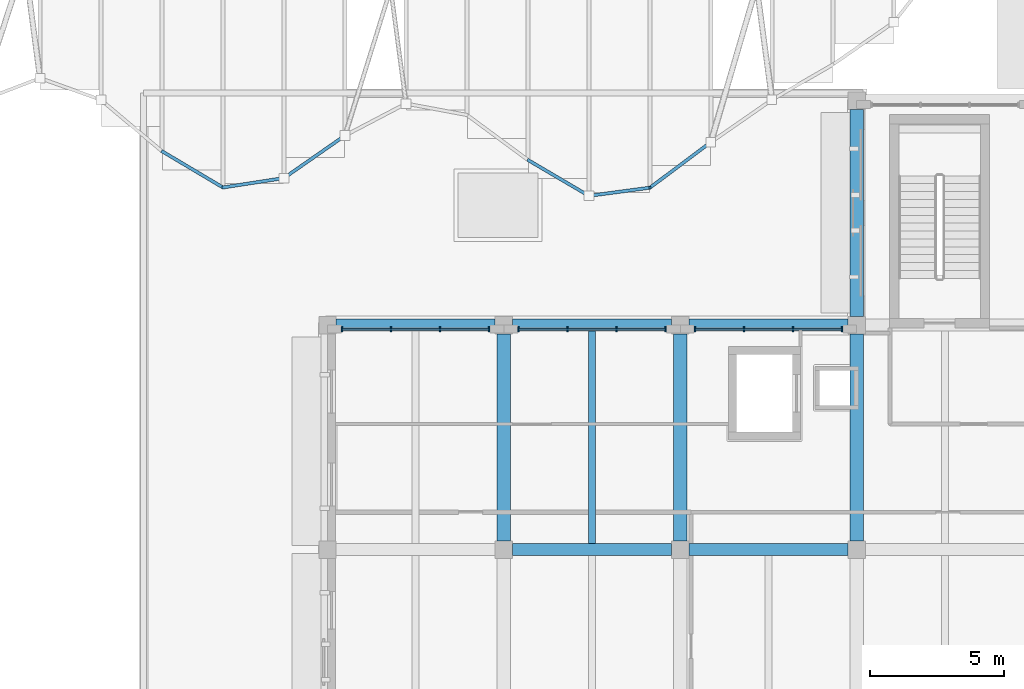
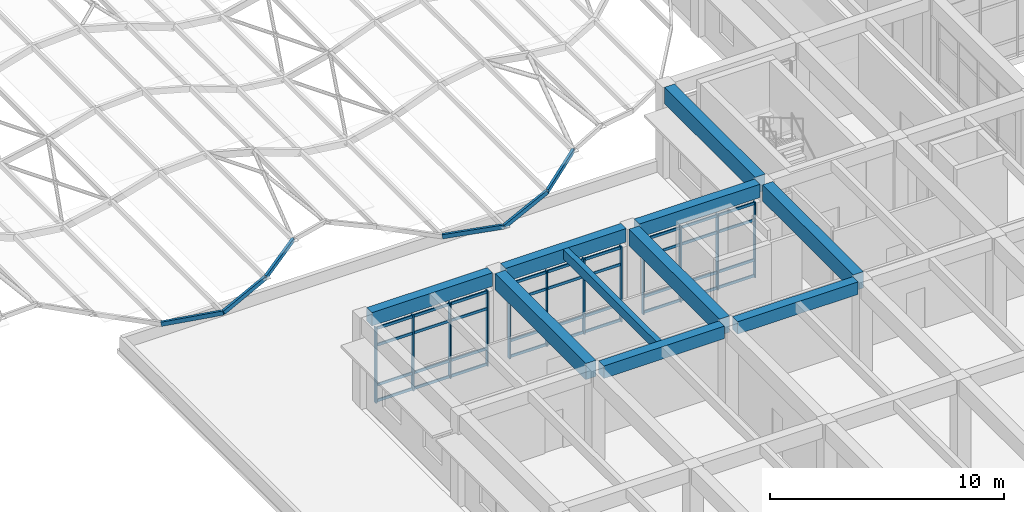
# One storey, part 13 of 79: 30 members, 10 beams, 3 elements without a shape of their own.
"""IFC4 building model written with IfcOpenShell, lengths in metres."""

import ifcopenshell
import ifcopenshell.guid

model = None  # the IFC model being written
_history = None  # IfcOwnerHistory: only IFC2X3 demands one
_inside = {}  # id of a spatial element -> (the spatial element, [elements in it])
_under = {}  # id of a project, library or spatial element -> (it, [spatial elements below it])
_declared = {}  # id of a project -> (the project, [libraries it declares])
_typed = {}  # id of a type object -> (the type object, [elements of that type])
_made_of = {}  # id of a material, layer set ... -> (it, [elements and type objects made of it])


def new_model(schema):
    """Start an empty IFC model of exactly this schema.

    Asked for "IFC4X3", IfcOpenShell would pick the latest addendum, in which some entities
    have other attributes; the version numbers below select the first issue.
    IFC2X3 requires an IfcOwnerHistory on every rooted entity: one is made here for all.
    """
    global model, _history
    if schema == "IFC4X3":
        model = ifcopenshell.file(schema_version=(4, 3, 0, 0))
    else:
        model = ifcopenshell.file(schema=schema)
    _inside.clear()
    _under.clear()
    _declared.clear()
    _typed.clear()
    _made_of.clear()
    _history = None
    if model.schema == "IFC2X3":
        org = make("IfcOrganization", Name="unknown")
        user = make(
            "IfcPersonAndOrganization",
            ThePerson=make("IfcPerson", FamilyName="unknown"),
            TheOrganization=org,
        )
        app = make(
            "IfcApplication",
            ApplicationDeveloper=org,
            Version="unknown",
            ApplicationFullName="unknown",
            ApplicationIdentifier="unknown",
        )
        _history = make(
            "IfcOwnerHistory",
            OwningUser=user,
            OwningApplication=app,
            ChangeAction="ADDED",
            CreationDate=0,
        )
    return model


def make(cls, **values):
    """One entity of the class cls with the attributes given. An attribute that is None is left unset."""
    return model.create_entity(
        cls, **{name: value for name, value in values.items() if value is not None}
    )


def rooted(cls, **values):
    """An entity with a GlobalId (a new one), such as an element, a storey or a relation."""
    return make(cls, GlobalId=ifcopenshell.guid.new(), OwnerHistory=_history, **values)


def si_unit(unit_type, name, prefix=None):
    """IfcSIUnit, for example si_unit("LENGTHUNIT", "METRE", prefix="MILLI")."""
    return make("IfcSIUnit", UnitType=unit_type, Prefix=prefix, Name=name)


def assignment(units):
    """IfcUnitAssignment: the units of a project."""
    return None if units is None else make("IfcUnitAssignment", Units=units)


def point(xyz):
    """IfcCartesianPoint."""
    return None if xyz is None else make("IfcCartesianPoint", Coordinates=xyz)


def direction(xyz):
    """IfcDirection."""
    return None if xyz is None else make("IfcDirection", DirectionRatios=xyz)


def frame(location, z_axis=None, x_axis=None):
    """IfcAxis2Placement3D, a coordinate frame: its origin and axes. An axis left out is left unset."""
    return make(
        "IfcAxis2Placement3D",
        Location=point(location),
        Axis=direction(z_axis),
        RefDirection=direction(x_axis),
    )


def frame_2d(location, x_axis=None):
    """IfcAxis2Placement2D, a coordinate frame in the plane: its origin and x axis."""
    return make(
        "IfcAxis2Placement2D", Location=point(location), RefDirection=direction(x_axis)
    )


def origin():
    """The frame at (0, 0, 0) with its axes left unset."""
    return frame((0.0, 0.0, 0.0))


def origin_2d():
    """The frame at (0, 0) in the plane with its x axis left unset."""
    return frame_2d((0.0, 0.0))


def place(relative_to, where):
    """IfcLocalPlacement: puts the frame where relative to a parent placement (None: the world)."""
    return make(
        "IfcLocalPlacement", PlacementRelTo=relative_to, RelativePlacement=where
    )


def context(
    kind, dimensions, precision=None, world=None, true_north=None, identifier=None
):
    """IfcGeometricRepresentationContext, for example the 3D "Model" context."""
    return make(
        "IfcGeometricRepresentationContext",
        ContextIdentifier=identifier,
        ContextType=kind,
        CoordinateSpaceDimension=dimensions,
        Precision=precision,
        WorldCoordinateSystem=world,
        TrueNorth=true_north,
    )


def subcontext(parent, identifier, kind, view, scale=None):
    """IfcGeometricRepresentationSubContext, for example "Body" below "Model"."""
    return make(
        "IfcGeometricRepresentationSubContext",
        ContextIdentifier=identifier,
        ContextType=kind,
        ParentContext=parent,
        TargetScale=scale,
        TargetView=view,
    )


def project(units=None, contexts=None):
    """IfcProject with its units and contexts."""
    return rooted(
        "IfcProject",
        Name="project",
        RepresentationContexts=contexts,
        UnitsInContext=assignment(units),
    )


def spatial(cls, under=None, at=None, **own):
    """A site, building, storey or space (cls), placed at a placement, below another one or the project."""
    s = rooted(cls, ObjectPlacement=at, **own)
    if under is not None:
        _under.setdefault(under.id(), (under, []))[1].append(s)
    return s


def profile(cls, at=None, kind="AREA", **sizes):
    """A parametric profile (cls). Its sizes go by their IFC names, for example OverallWidth=200.0."""
    return make(cls, ProfileType=kind, Position=at, **sizes)


def rectangle(**sizes):
    """IfcRectangleProfileDef."""
    return profile("IfcRectangleProfileDef", **sizes)


def hollow_rectangle(**sizes):
    """IfcRectangleHollowProfileDef."""
    return profile("IfcRectangleHollowProfileDef", **sizes)


def extrude(swept, where, along, depth):
    """IfcExtrudedAreaSolid: the profile swept, set in the frame where, extruded along a direction by depth."""
    return make(
        "IfcExtrudedAreaSolid",
        SweptArea=swept,
        Position=where,
        ExtrudedDirection=direction(along),
        Depth=depth,
    )


def shape(context_of_items, identifier, shape_type, items):
    """IfcShapeRepresentation: the items that make up one representation, for example the "Body"."""
    return make(
        "IfcShapeRepresentation",
        ContextOfItems=context_of_items,
        RepresentationIdentifier=identifier,
        RepresentationType=shape_type,
        Items=items,
    )


def material(Name=None, Category=None):
    """IfcMaterial."""
    return make("IfcMaterial", Name=Name, Category=Category)


def layer(
    of_material, thickness, ventilated=None, Name=None, Category=None, Priority=None
):
    """IfcMaterialLayer: one layer of a wall or slab, of a material (None: an air gap)."""
    return make(
        "IfcMaterialLayer",
        Material=of_material,
        LayerThickness=thickness,
        IsVentilated=ventilated,
        Name=Name,
        Category=Category,
        Priority=Priority,
    )


def layer_set(layers, Name=None):
    """IfcMaterialLayerSet."""
    return make("IfcMaterialLayerSet", MaterialLayers=layers, LayerSetName=Name)


def material_profile(
    of_material, cross_section, Name=None, Category=None, Priority=None
):
    """IfcMaterialProfile: a cross section and its material."""
    return make(
        "IfcMaterialProfile",
        Name=Name,
        Material=of_material,
        Profile=cross_section,
        Priority=Priority,
        Category=Category,
    )


def profile_set(profiles, Name=None, composite=None):
    """IfcMaterialProfileSet."""
    return make(
        "IfcMaterialProfileSet",
        Name=Name,
        MaterialProfiles=profiles,
        CompositeProfile=composite,
    )


def made_of(thing, what):
    """Note that an element or type object is made of a material, layer set ...; save() writes the relation."""
    if what is not None:
        _made_of.setdefault(what.id(), (what, []))[1].append(thing)
    return thing


def type_object(cls, material=None, **own):
    """A type object (cls), such as IfcWallType, which elements share."""
    return made_of(rooted(cls, **own), material)


def element(
    cls,
    number,
    at=None,
    inside=None,
    cuts=None,
    type_object=None,
    material=None,
    context=None,
    identifier="Body",
    shape_type=None,
    held_by="IfcProductDefinitionShape",
    body=None,
    shapes=None,
    **own,
):
    """One element of the class cls, such as IfcWall. Its Tag is "e" and its number.

    at: its placement. inside: the storey or other place that contains it. cuts: it is an
    opening in that element (IfcRelVoidsElement). A single representation is given by context,
    identifier, shape_type and body (its items); several are given by shapes. held_by: the class
    of the entity that holds the representations. save() writes the other relations.
    """
    e = rooted(cls, Tag="e%d" % number, ObjectPlacement=at, **own)
    if body is not None:
        shapes = [shape(context, identifier, shape_type, body)]
    if shapes is not None:
        e.Representation = make(held_by, Representations=shapes)
    if inside is not None:
        _inside.setdefault(inside.id(), (inside, []))[1].append(e)
    if cuts is not None:
        rooted(
            "IfcRelVoidsElement", RelatingBuildingElement=cuts, RelatedOpeningElement=e
        )
    if type_object is not None:
        _typed.setdefault(type_object.id(), (type_object, []))[1].append(e)
    return made_of(e, material)


def aggregate(whole, parts):
    """IfcRelAggregates: a whole, such as a stair, and the parts it consists of."""
    return rooted("IfcRelAggregates", RelatingObject=whole, RelatedObjects=parts)


def save(model, path):
    """Write the relations noted so far, then the file.

    IfcRelAggregates (storeys below a building ...), IfcRelContainedInSpatialStructure (elements
    in a storey), IfcRelDefinesByType, IfcRelAssociatesMaterial and IfcRelDeclares: one each for
    every whole, place, type object, material and project.
    """
    for whole, parts in _under.values():
        aggregate(whole, parts)
    for where, things in _inside.values():
        rooted(
            "IfcRelContainedInSpatialStructure",
            RelatedElements=things,
            RelatingStructure=where,
        )
    for kind, things in _typed.values():
        rooted("IfcRelDefinesByType", RelatedObjects=things, RelatingType=kind)
    for what, things in _made_of.values():
        rooted("IfcRelAssociatesMaterial", RelatedObjects=things, RelatingMaterial=what)
    for by, libraries in _declared.values():
        rooted("IfcRelDeclares", RelatingContext=by, RelatedDefinitions=libraries)
    model.write(path)


model = new_model("IFC4")

# Units and contexts
model_context = context("Model", 3, precision=1e-05, world=origin(), true_north=direction((0.0, 1.0)))
body_context = subcontext(model_context, "Body", "Model", "MODEL_VIEW")
ifc_project = project(units=[si_unit("LENGTHUNIT", "METRE"), si_unit("AREAUNIT", "SQUARE_METRE"), si_unit("VOLUMEUNIT", "CUBIC_METRE"), si_unit("PLANEANGLEUNIT", "RADIAN"), si_unit("MASSUNIT", "GRAM", prefix="KILO")], contexts=[model_context])

# Site, building, storey
site_placement = place(None, origin())
site = spatial("IfcSite", under=ifc_project, at=site_placement, CompositionType="ELEMENT")
building_placement = place(site_placement, origin())
building = spatial("IfcBuilding", under=site, at=building_placement, Name="Kolvaren Faculty of Natural Sciences", CompositionType="ELEMENT")
storey_placement = place(building_placement, frame((0.0, 0.0, 10.199951171875)))
storey = spatial("IfcBuildingStorey", under=building, at=storey_placement, Name="L02", CompositionType="ELEMENT", Elevation=10.199951171875)

# Members
ifc_material_1 = material(Name="Structural steel EN 10210-1 S355J2H (white architectural finish)", Category="steel")
ifc_material_profile_1 = material_profile(ifc_material_1, hollow_rectangle(XDim=0.1201171875, YDim=0.219970703125, WallThickness=0.008056640625, at=origin_2d()), Name="RHS 220x120x8")
ifc_profile_set_1 = profile_set([ifc_material_profile_1], Name="Structural steel EN 10210-1 S355J2H (white architectural finish)")
member_type_1 = type_object("IfcMemberType", Name="CanopyWaveEdgeChord_RHS220", PredefinedType="RAFTER", material=ifc_profile_set_1)
member_1_placement = place(storey_placement, frame((99.609130859375, 40.306396484375, 2.432861328125), z_axis=(0.837378926171, -0.497893718461, 0.225606691215), x_axis=(0.51106988368, 0.859539163735, 0.0)))
element("IfcMember", 1, at=member_1_placement, inside=storey, type_object=member_type_1, Name="Covered street wave canopy s-wave chord 28", PredefinedType="RAFTER", context=body_context, shape_type="SweptSolid", body=[
    extrude(hollow_rectangle(XDim=0.1201171875, YDim=0.219970703125, WallThickness=0.008056640625, at=origin_2d()), origin(), (0.0, 0.0, 1.0), 2.724853515625),
])
member_2_placement = place(storey_placement, frame((101.890869140625, 38.94970703125, 3.047607421875), z_axis=(0.93387377527, 0.144187872642, 0.327245518298), x_axis=(-0.152589552969, 0.98828964799, 0.0)))
element("IfcMember", 2, at=member_2_placement, inside=storey, type_object=member_type_1, Name="Covered street wave canopy s-wave chord 29", PredefinedType="RAFTER", context=body_context, shape_type="SweptSolid", body=[
    extrude(hollow_rectangle(XDim=0.1201171875, YDim=0.219970703125, WallThickness=0.008056640625, at=origin_2d()), origin(), (0.0, 0.0, 1.0), 2.443359375),
])
member_3_placement = place(storey_placement, frame((104.172607421875, 39.302001953125, 3.84716796875), z_axis=(0.817941083567, 0.570029765524, 0.077707465733), x_axis=(-0.571758647486, 0.82042187259, 0.0)))
element("IfcMember", 3, at=member_3_placement, inside=storey, type_object=member_type_1, Name="Covered street wave canopy s-wave chord 30", PredefinedType="RAFTER", context=body_context, shape_type="SweptSolid", body=[
    extrude(hollow_rectangle(XDim=0.1201171875, YDim=0.219970703125, WallThickness=0.008056640625, at=origin_2d()), origin(), (0.0, 0.0, 1.0), 2.789794921875),
])
member_4_placement = place(storey_placement, frame((113.300048828125, 39.978515625, 2.40380859375), z_axis=(0.845162705237, -0.497005588271, 0.196686163481), x_axis=(0.506907262452, 0.862000595866, 0.0)))
element("IfcMember", 4, at=member_4_placement, inside=storey, type_object=member_type_1, Name="Covered street wave canopy s-wave chord 34", PredefinedType="RAFTER", context=body_context, shape_type="SweptSolid", body=[
    extrude(hollow_rectangle(XDim=0.1201171875, YDim=0.219970703125, WallThickness=0.008056640625, at=origin_2d()), origin(), (0.0, 0.0, 1.0), 2.69970703125),
])
member_5_placement = place(storey_placement, frame((115.581787109375, 38.63671875, 2.934814453125), z_axis=(0.933189169922, 0.124611607539, 0.337090374241), x_axis=(-0.132358231239, 0.991201946438, 0.0)))
element("IfcMember", 5, at=member_5_placement, inside=storey, type_object=member_type_1, Name="Covered street wave canopy s-wave chord 35", PredefinedType="RAFTER", context=body_context, shape_type="SweptSolid", body=[
    extrude(hollow_rectangle(XDim=0.1201171875, YDim=0.219970703125, WallThickness=0.008056640625, at=origin_2d()), origin(), (0.0, 0.0, 1.0), 2.445068359375),
])
member_6_placement = place(storey_placement, frame((117.863525390625, 38.94140625, 3.759033203125), z_axis=(0.795805498698, 0.594789474045, 0.113662174041), x_axis=(-0.598669175757, 0.800996390753, 0.0)))
element("IfcMember", 6, at=member_6_placement, inside=storey, type_object=member_type_1, Name="Covered street wave canopy s-wave chord 36", PredefinedType="RAFTER", context=body_context, shape_type="SweptSolid", body=[
    extrude(hollow_rectangle(XDim=0.1201171875, YDim=0.219970703125, WallThickness=0.008056640625, at=origin_2d()), origin(), (0.0, 0.0, 1.0), 2.867431640625),
])

# Curtain wall, members
ifc_material_2 = material(Name="Thermally broken anodised aluminium framing", Category="aluminium")
ifc_layer = layer(ifc_material_2, 0.179931640625)
ifc_layer_set = layer_set([ifc_layer], Name="Thermally broken anodised aluminium framing")
curtain_wall_type = type_object("IfcCurtainWallType", Name="CommonsCurtainWall_CW02", PredefinedType="NOTDEFINED", material=ifc_layer_set)
curtain_wall_1_placement = place(storey_placement, origin())
curtain_wall_1 = element("IfcCurtainWall", 7, at=curtain_wall_1_placement, inside=storey, type_object=curtain_wall_type, Name="L02 unitised curtain wall CW-02 (CW-L02-116)", PredefinedType="NOTDEFINED")
ifc_material_profile_2 = material_profile(ifc_material_2, rectangle(XDim=0.06005859375, YDim=0.179931640625, at=origin_2d()), Name="ALU MUL 60x180")
ifc_profile_set_2 = profile_set([ifc_material_profile_2], Name="Thermally broken anodised aluminium framing")
member_type_2 = type_object("IfcMemberType", Name="CurtainMullion_60x180", PredefinedType="MULLION", material=ifc_profile_set_2)
member_7_placement = place(storey_placement, frame((106.35009765625, 33.64990234375, 0.0), z_axis=(0.0, 0.0, 1.0), x_axis=(1.0, 0.0, 0.0)))
member_7 = element("IfcMember", 8, at=member_7_placement, type_object=member_type_2, Name="CW-L02-116 vertical mullion 1", PredefinedType="MULLION", context=body_context, shape_type="SweptSolid", body=[
    extrude(rectangle(XDim=0.06005859375, YDim=0.179931640625, at=origin_2d()), origin(), (0.0, 0.0, 1.0), 3.93505859375),
])
member_8_placement = place(storey_placement, frame((108.183349609375, 33.64990234375, 0.0), z_axis=(0.0, 0.0, 1.0), x_axis=(1.0, 0.0, 0.0)))
member_8 = element("IfcMember", 9, at=member_8_placement, type_object=member_type_2, Name="CW-L02-116 vertical mullion 2", PredefinedType="MULLION", context=body_context, shape_type="SweptSolid", body=[
    extrude(rectangle(XDim=0.06005859375, YDim=0.179931640625, at=origin_2d()), origin(), (0.0, 0.0, 1.0), 3.93505859375),
])
member_9_placement = place(storey_placement, frame((110.0166015625, 33.64990234375, 0.0), z_axis=(0.0, 0.0, 1.0), x_axis=(1.0, 0.0, 0.0)))
member_9 = element("IfcMember", 10, at=member_9_placement, type_object=member_type_2, Name="CW-L02-116 vertical mullion 3", PredefinedType="MULLION", context=body_context, shape_type="SweptSolid", body=[
    extrude(rectangle(XDim=0.06005859375, YDim=0.179931640625, at=origin_2d()), origin(), (0.0, 0.0, 1.0), 3.93505859375),
])
member_10_placement = place(storey_placement, frame((111.85009765625, 33.64990234375, 0.0), z_axis=(0.0, 0.0, 1.0), x_axis=(1.0, 0.0, 0.0)))
member_10 = element("IfcMember", 11, at=member_10_placement, type_object=member_type_2, Name="CW-L02-116 vertical mullion 4", PredefinedType="MULLION", context=body_context, shape_type="SweptSolid", body=[
    extrude(rectangle(XDim=0.06005859375, YDim=0.179931640625, at=origin_2d()), origin(), (0.0, 0.0, 1.0), 3.93505859375),
])

curtain_wall_2_placement = place(storey_placement, origin())
curtain_wall_2 = element("IfcCurtainWall", 12, at=curtain_wall_2_placement, inside=storey, type_object=curtain_wall_type, Name="L02 unitised curtain wall CW-02 (CW-L02-117)", PredefinedType="NOTDEFINED")
member_11_placement = place(storey_placement, frame((112.949951171875, 33.64990234375, 0.0), z_axis=(0.0, 0.0, 1.0), x_axis=(1.0, 0.0, 0.0)))
member_11 = element("IfcMember", 13, at=member_11_placement, type_object=member_type_2, Name="CW-L02-117 vertical mullion 1", PredefinedType="MULLION", context=body_context, shape_type="SweptSolid", body=[
    extrude(rectangle(XDim=0.06005859375, YDim=0.179931640625, at=origin_2d()), origin(), (0.0, 0.0, 1.0), 3.93505859375),
])
member_12_placement = place(storey_placement, frame((114.783203125, 33.64990234375, 0.0), z_axis=(0.0, 0.0, 1.0), x_axis=(1.0, 0.0, 0.0)))
member_12 = element("IfcMember", 14, at=member_12_placement, type_object=member_type_2, Name="CW-L02-117 vertical mullion 2", PredefinedType="MULLION", context=body_context, shape_type="SweptSolid", body=[
    extrude(rectangle(XDim=0.06005859375, YDim=0.179931640625, at=origin_2d()), origin(), (0.0, 0.0, 1.0), 3.93505859375),
])
member_13_placement = place(storey_placement, frame((116.61669921875, 33.64990234375, 0.0), z_axis=(0.0, 0.0, 1.0), x_axis=(1.0, 0.0, 0.0)))
member_13 = element("IfcMember", 15, at=member_13_placement, type_object=member_type_2, Name="CW-L02-117 vertical mullion 3", PredefinedType="MULLION", context=body_context, shape_type="SweptSolid", body=[
    extrude(rectangle(XDim=0.06005859375, YDim=0.179931640625, at=origin_2d()), origin(), (0.0, 0.0, 1.0), 3.93505859375),
])
member_14_placement = place(storey_placement, frame((118.449951171875, 33.64990234375, 0.0), z_axis=(0.0, 0.0, 1.0), x_axis=(1.0, 0.0, 0.0)))
member_14 = element("IfcMember", 16, at=member_14_placement, type_object=member_type_2, Name="CW-L02-117 vertical mullion 4", PredefinedType="MULLION", context=body_context, shape_type="SweptSolid", body=[
    extrude(rectangle(XDim=0.06005859375, YDim=0.179931640625, at=origin_2d()), origin(), (0.0, 0.0, 1.0), 3.93505859375),
])

curtain_wall_3_placement = place(storey_placement, origin())
curtain_wall_3 = element("IfcCurtainWall", 17, at=curtain_wall_3_placement, inside=storey, type_object=curtain_wall_type, Name="L02 unitised curtain wall CW-02 (CW-L02-118)", PredefinedType="NOTDEFINED")
member_15_placement = place(storey_placement, frame((119.550048828125, 33.64990234375, 0.0), z_axis=(0.0, 0.0, 1.0), x_axis=(1.0, 0.0, 0.0)))
member_15 = element("IfcMember", 18, at=member_15_placement, type_object=member_type_2, Name="CW-L02-118 vertical mullion 1", PredefinedType="MULLION", context=body_context, shape_type="SweptSolid", body=[
    extrude(rectangle(XDim=0.06005859375, YDim=0.179931640625, at=origin_2d()), origin(), (0.0, 0.0, 1.0), 3.93505859375),
])
member_16_placement = place(storey_placement, frame((121.38330078125, 33.64990234375, 0.0), z_axis=(0.0, 0.0, 1.0), x_axis=(1.0, 0.0, 0.0)))
member_16 = element("IfcMember", 19, at=member_16_placement, type_object=member_type_2, Name="CW-L02-118 vertical mullion 2", PredefinedType="MULLION", context=body_context, shape_type="SweptSolid", body=[
    extrude(rectangle(XDim=0.06005859375, YDim=0.179931640625, at=origin_2d()), origin(), (0.0, 0.0, 1.0), 3.93505859375),
])
member_17_placement = place(storey_placement, frame((123.216796875, 33.64990234375, 0.0), z_axis=(0.0, 0.0, 1.0), x_axis=(1.0, 0.0, 0.0)))
member_17 = element("IfcMember", 20, at=member_17_placement, type_object=member_type_2, Name="CW-L02-118 vertical mullion 3", PredefinedType="MULLION", context=body_context, shape_type="SweptSolid", body=[
    extrude(rectangle(XDim=0.06005859375, YDim=0.179931640625, at=origin_2d()), origin(), (0.0, 0.0, 1.0), 3.93505859375),
])
member_18_placement = place(storey_placement, frame((125.050048828125, 33.64990234375, 0.0), z_axis=(0.0, 0.0, 1.0), x_axis=(1.0, 0.0, 0.0)))
member_18 = element("IfcMember", 21, at=member_18_placement, type_object=member_type_2, Name="CW-L02-118 vertical mullion 4", PredefinedType="MULLION", context=body_context, shape_type="SweptSolid", body=[
    extrude(rectangle(XDim=0.06005859375, YDim=0.179931640625, at=origin_2d()), origin(), (0.0, 0.0, 1.0), 3.93505859375),
])

# Member
ifc_material_profile_3 = material_profile(ifc_material_2, rectangle(XDim=0.06005859375, YDim=0.139892578125, at=origin_2d()), Name="ALU TRN 60x140")
ifc_profile_set_3 = profile_set([ifc_material_profile_3], Name="Thermally broken anodised aluminium framing")
member_type_3 = type_object("IfcMemberType", Name="CurtainTransom_60x140", PredefinedType="USERDEFINED", material=ifc_profile_set_3)
member_19_placement = place(storey_placement, frame((106.35009765625, 33.64990234375, 0.080078125), z_axis=(1.0, 0.0, 0.0), x_axis=(0.0, 1.0, 0.0)))
member_19 = element("IfcMember", 22, at=member_19_placement, type_object=member_type_3, Name="CW-L02-116 horizontal transom 1", ObjectType="TRANSOM", PredefinedType="USERDEFINED", context=body_context, shape_type="SweptSolid", body=[
    extrude(rectangle(XDim=0.06005859375, YDim=0.139892578125, at=origin_2d()), origin(), (0.0, 0.0, 1.0), 5.5),
])

member_20_placement = place(storey_placement, frame((106.35009765625, 33.64990234375, 0.900146484375), z_axis=(1.0, 0.0, 0.0), x_axis=(0.0, 1.0, 0.0)))
member_20 = element("IfcMember", 23, at=member_20_placement, type_object=member_type_3, Name="CW-L02-116 horizontal transom 2", ObjectType="TRANSOM", PredefinedType="USERDEFINED", context=body_context, shape_type="SweptSolid", body=[
    extrude(rectangle(XDim=0.06005859375, YDim=0.139892578125, at=origin_2d()), origin(), (0.0, 0.0, 1.0), 5.5),
])

member_21_placement = place(storey_placement, frame((106.35009765625, 33.64990234375, 2.985107421875), z_axis=(1.0, 0.0, 0.0), x_axis=(0.0, 1.0, 0.0)))
member_21 = element("IfcMember", 24, at=member_21_placement, type_object=member_type_3, Name="CW-L02-116 horizontal transom 3", ObjectType="TRANSOM", PredefinedType="USERDEFINED", context=body_context, shape_type="SweptSolid", body=[
    extrude(rectangle(XDim=0.06005859375, YDim=0.139892578125, at=origin_2d()), origin(), (0.0, 0.0, 1.0), 5.5),
])

member_22_placement = place(storey_placement, frame((106.35009765625, 33.64990234375, 3.85498046875), z_axis=(1.0, 0.0, 0.0), x_axis=(0.0, 1.0, 0.0)))
member_22 = element("IfcMember", 25, at=member_22_placement, type_object=member_type_3, Name="CW-L02-116 horizontal transom 4", ObjectType="TRANSOM", PredefinedType="USERDEFINED", context=body_context, shape_type="SweptSolid", body=[
    extrude(rectangle(XDim=0.06005859375, YDim=0.139892578125, at=origin_2d()), origin(), (0.0, 0.0, 1.0), 5.5),
])

aggregate(curtain_wall_1, [member_7, member_8, member_9, member_10, member_19, member_20, member_21, member_22])

member_23_placement = place(storey_placement, frame((112.949951171875, 33.64990234375, 0.080078125), z_axis=(1.0, 0.0, 0.0), x_axis=(0.0, 1.0, 0.0)))
member_23 = element("IfcMember", 26, at=member_23_placement, type_object=member_type_3, Name="CW-L02-117 horizontal transom 1", ObjectType="TRANSOM", PredefinedType="USERDEFINED", context=body_context, shape_type="SweptSolid", body=[
    extrude(rectangle(XDim=0.06005859375, YDim=0.139892578125, at=origin_2d()), origin(), (0.0, 0.0, 1.0), 5.5),
])

member_24_placement = place(storey_placement, frame((112.949951171875, 33.64990234375, 0.900146484375), z_axis=(1.0, 0.0, 0.0), x_axis=(0.0, 1.0, 0.0)))
member_24 = element("IfcMember", 27, at=member_24_placement, type_object=member_type_3, Name="CW-L02-117 horizontal transom 2", ObjectType="TRANSOM", PredefinedType="USERDEFINED", context=body_context, shape_type="SweptSolid", body=[
    extrude(rectangle(XDim=0.06005859375, YDim=0.139892578125, at=origin_2d()), origin(), (0.0, 0.0, 1.0), 5.5),
])

member_25_placement = place(storey_placement, frame((112.949951171875, 33.64990234375, 2.985107421875), z_axis=(1.0, 0.0, 0.0), x_axis=(0.0, 1.0, 0.0)))
member_25 = element("IfcMember", 28, at=member_25_placement, type_object=member_type_3, Name="CW-L02-117 horizontal transom 3", ObjectType="TRANSOM", PredefinedType="USERDEFINED", context=body_context, shape_type="SweptSolid", body=[
    extrude(rectangle(XDim=0.06005859375, YDim=0.139892578125, at=origin_2d()), origin(), (0.0, 0.0, 1.0), 5.5),
])

member_26_placement = place(storey_placement, frame((112.949951171875, 33.64990234375, 3.85498046875), z_axis=(1.0, 0.0, 0.0), x_axis=(0.0, 1.0, 0.0)))
member_26 = element("IfcMember", 29, at=member_26_placement, type_object=member_type_3, Name="CW-L02-117 horizontal transom 4", ObjectType="TRANSOM", PredefinedType="USERDEFINED", context=body_context, shape_type="SweptSolid", body=[
    extrude(rectangle(XDim=0.06005859375, YDim=0.139892578125, at=origin_2d()), origin(), (0.0, 0.0, 1.0), 5.5),
])

aggregate(curtain_wall_2, [member_11, member_12, member_13, member_14, member_23, member_24, member_25, member_26])

member_27_placement = place(storey_placement, frame((119.550048828125, 33.64990234375, 0.080078125), z_axis=(1.0, 0.0, 0.0), x_axis=(0.0, 1.0, 0.0)))
member_27 = element("IfcMember", 30, at=member_27_placement, type_object=member_type_3, Name="CW-L02-118 horizontal transom 1", ObjectType="TRANSOM", PredefinedType="USERDEFINED", context=body_context, shape_type="SweptSolid", body=[
    extrude(rectangle(XDim=0.06005859375, YDim=0.139892578125, at=origin_2d()), origin(), (0.0, 0.0, 1.0), 5.5),
])

member_28_placement = place(storey_placement, frame((119.550048828125, 33.64990234375, 0.900146484375), z_axis=(1.0, 0.0, 0.0), x_axis=(0.0, 1.0, 0.0)))
member_28 = element("IfcMember", 31, at=member_28_placement, type_object=member_type_3, Name="CW-L02-118 horizontal transom 2", ObjectType="TRANSOM", PredefinedType="USERDEFINED", context=body_context, shape_type="SweptSolid", body=[
    extrude(rectangle(XDim=0.06005859375, YDim=0.139892578125, at=origin_2d()), origin(), (0.0, 0.0, 1.0), 5.5),
])

member_29_placement = place(storey_placement, frame((119.550048828125, 33.64990234375, 2.985107421875), z_axis=(1.0, 0.0, 0.0), x_axis=(0.0, 1.0, 0.0)))
member_29 = element("IfcMember", 32, at=member_29_placement, type_object=member_type_3, Name="CW-L02-118 horizontal transom 3", ObjectType="TRANSOM", PredefinedType="USERDEFINED", context=body_context, shape_type="SweptSolid", body=[
    extrude(rectangle(XDim=0.06005859375, YDim=0.139892578125, at=origin_2d()), origin(), (0.0, 0.0, 1.0), 5.5),
])

member_30_placement = place(storey_placement, frame((119.550048828125, 33.64990234375, 3.85498046875), z_axis=(1.0, 0.0, 0.0), x_axis=(0.0, 1.0, 0.0)))
member_30 = element("IfcMember", 33, at=member_30_placement, type_object=member_type_3, Name="CW-L02-118 horizontal transom 4", ObjectType="TRANSOM", PredefinedType="USERDEFINED", context=body_context, shape_type="SweptSolid", body=[
    extrude(rectangle(XDim=0.06005859375, YDim=0.139892578125, at=origin_2d()), origin(), (0.0, 0.0, 1.0), 5.5),
])

aggregate(curtain_wall_3, [member_15, member_16, member_17, member_18, member_27, member_28, member_29, member_30])

# Beams
ifc_material_3 = material(Name="Concrete C35/45", Category="concrete")
ifc_material_profile_4 = material_profile(ifc_material_3, rectangle(XDim=0.449951171875, YDim=0.64990234375, at=origin_2d()), Name="RC BM 450x650")
ifc_profile_set_4 = profile_set([ifc_material_profile_4], Name="Concrete C35/45")
beam_type_1 = type_object("IfcBeamType", Name="GridBeam_450x650", PredefinedType="BEAM", material=ifc_profile_set_4)
for number, where, z_axis, x_axis, name in (
    (34, (112.72509765625, 25.39990234375, 4.47509765625), (1.0, 0.0, 0.0), (0.0, 1.0, 0.0), "L02 beam BM-65 on grid D"),
    (35, (119.324951171875, 25.39990234375, 4.47509765625), (1.0, 0.0, 0.0), (0.0, 1.0, 0.0), "L02 beam BM-65 on grid D"),
):
    element("IfcBeam", number, at=place(storey_placement, frame(where, z_axis=z_axis, x_axis=x_axis)), inside=storey, type_object=beam_type_1, Name=name, PredefinedType="BEAM", context=body_context, shape_type="SweptSolid", body=[
        extrude(rectangle(XDim=0.449951171875, YDim=0.64990234375, at=origin_2d()), origin(), (0.0, 0.0, 1.0), 5.949951171875),
    ])
ifc_material_profile_5 = material_profile(ifc_material_3, rectangle(XDim=0.260009765625, YDim=0.5, at=origin_2d()), Name="RC JST 260x500")
ifc_profile_set_5 = profile_set([ifc_material_profile_5], Name="Concrete C35/45")
beam_type_2 = type_object("IfcBeamType", Name="LabRibJoist_260x500", PredefinedType="JOIST", material=ifc_profile_set_5)
beam_placement = place(storey_placement, frame((115.699951171875, 25.625, 4.550048828125), z_axis=(0.0, 1.0, 0.0), x_axis=(-1.0, 0.0, 0.0)))
element("IfcBeam", 36, at=beam_placement, inside=storey, type_object=beam_type_2, Name="L02 ribbed laboratory slab joist JS-50", PredefinedType="JOIST", context=body_context, shape_type="SweptSolid", body=[
    extrude(rectangle(XDim=0.260009765625, YDim=0.5, at=origin_2d()), origin(), (0.0, 0.0, 1.0), 7.949951171875),
])
ifc_material_profile_6 = material_profile(ifc_material_3, rectangle(XDim=0.449951171875, YDim=0.699951171875, at=origin_2d()), Name="RC SP 450x700")
ifc_profile_set_6 = profile_set([ifc_material_profile_6], Name="Concrete C35/45")
beam_type_3 = type_object("IfcBeamType", Name="PerimeterSpandrel_450x700", PredefinedType="SPANDREL", material=ifc_profile_set_6)
for number, where, z_axis, x_axis, name in (
    (37, (106.125, 33.800048828125, 4.449951171875), (1.0, 0.0, 0.0), (0.0, 1.0, 0.0), "L02 spandrel SP-70 on grid E"),
    (38, (112.72509765625, 33.800048828125, 4.449951171875), (1.0, 0.0, 0.0), (0.0, 1.0, 0.0), "L02 spandrel SP-70 on grid E"),
    (39, (119.324951171875, 33.800048828125, 4.449951171875), (1.0, 0.0, 0.0), (0.0, 1.0, 0.0), "L02 spandrel SP-70 on grid E"),
):
    element("IfcBeam", number, at=place(storey_placement, frame(where, z_axis=z_axis, x_axis=x_axis)), inside=storey, type_object=beam_type_3, Name=name, PredefinedType="SPANDREL", context=body_context, shape_type="SweptSolid", body=[
        extrude(rectangle(XDim=0.449951171875, YDim=0.699951171875, at=origin_2d()), origin(), (0.0, 0.0, 1.0), 5.949951171875),
    ])
ifc_material_profile_7 = material_profile(ifc_material_3, rectangle(XDim=0.5, YDim=0.85009765625, at=origin_2d()), Name="RC BM 500x850")
ifc_profile_set_7 = profile_set([ifc_material_profile_7], Name="Concrete C35/45")
beam_type_4 = type_object("IfcBeamType", Name="PrimaryGirder_500x850", PredefinedType="BEAM", material=ifc_profile_set_7)
for number, where, z_axis, x_axis, name in (
    (40, (112.39990234375, 25.72509765625, 4.375), (0.0, 1.0, 0.0), (-1.0, 0.0, 0.0), "L02 girder BG-85 on grid 18"),
    (41, (119.0, 25.72509765625, 4.375), (0.0, 1.0, 0.0), (-1.0, 0.0, 0.0), "L02 girder BG-85 on grid 19"),
    (42, (125.60009765625, 25.72509765625, 4.375), (0.0, 1.0, 0.0), (-1.0, 0.0, 0.0), "L02 girder BG-85 on grid 20"),
    (43, (125.60009765625, 34.125, 4.375), (0.0, 1.0, 0.0), (-1.0, 0.0, 0.0), "L02 girder BG-85 on grid 20"),
):
    element("IfcBeam", number, at=place(storey_placement, frame(where, z_axis=z_axis, x_axis=x_axis)), inside=storey, type_object=beam_type_4, Name=name, PredefinedType="BEAM", context=body_context, shape_type="SweptSolid", body=[
        extrude(rectangle(XDim=0.5, YDim=0.85009765625, at=origin_2d()), origin(), (0.0, 0.0, 1.0), 7.75),
    ])

save(model, "model.ifc")
